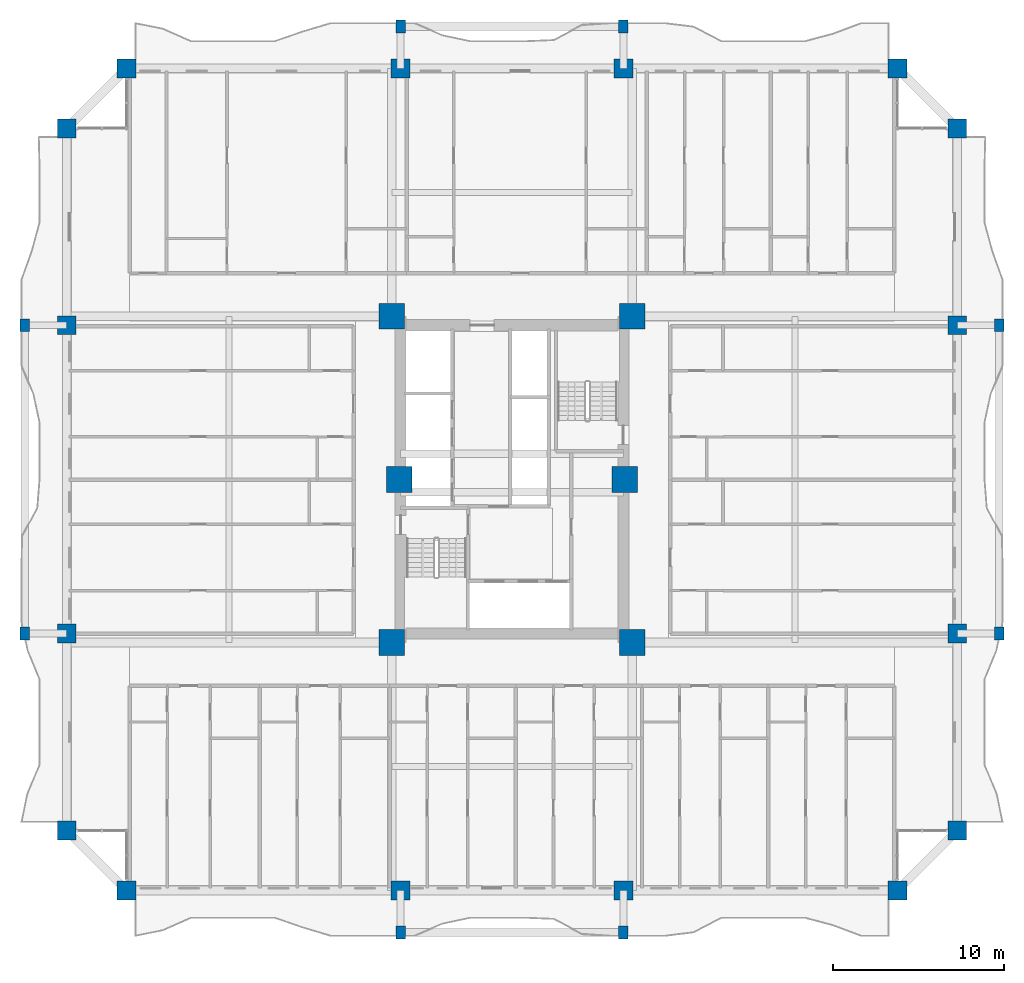
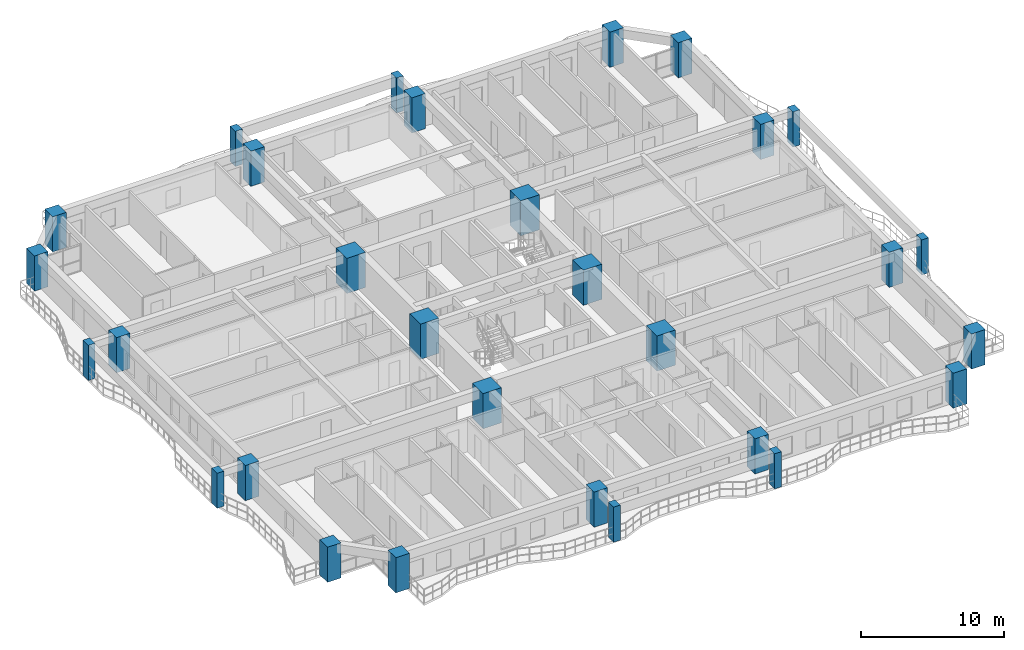
# One storey, part 1 of 28: 30 columns.
"""IFC4 building model written with IfcOpenShell, lengths in metres."""

from ifc_helpers import new_model, si_unit, direction, frame, origin, origin_2d, place, context, subcontext, project, spatial, rectangle, extrude, source, transform, mapped, material, material_profile, profile_set, type_object, element, save


model = new_model("IFC4")

# Units and contexts
model_context = context("Model", 3, precision=1e-05, world=origin(), true_north=direction((0.0, 1.0)))
body_context = subcontext(model_context, "Body", "Model", "MODEL_VIEW")
ifc_project = project(units=[si_unit("LENGTHUNIT", "METRE"), si_unit("AREAUNIT", "SQUARE_METRE"), si_unit("VOLUMEUNIT", "CUBIC_METRE"), si_unit("PLANEANGLEUNIT", "RADIAN"), si_unit("MASSUNIT", "GRAM", prefix="KILO")], contexts=[model_context])

# Site, building, storey
site_placement = place(None, origin())
site = spatial("IfcSite", under=ifc_project, at=site_placement, CompositionType="ELEMENT")
building_placement = place(site_placement, origin())
building = spatial("IfcBuilding", under=site, at=building_placement, Name="Saelheon Loggia Tower", CompositionType="ELEMENT")
storey_placement = place(building_placement, frame((0.0, 0.0, 25.39990234375)))
storey = spatial("IfcBuildingStorey", under=building, at=storey_placement, Name="L07", CompositionType="ELEMENT", Elevation=25.39990234375)

# Columns
ifc_material_1 = material(Name="Concrete C60/75", Category="concrete")
ifc_material_profile_1 = material_profile(ifc_material_1, rectangle(XDim=1.5, YDim=1.5, at=origin_2d()), Name="RC-1500x1500")
ifc_profile_set_1 = profile_set([ifc_material_profile_1], Name="Concrete C60/75")
column_type_1 = type_object("IfcColumnType", Name="Col_Core_RC1500", PredefinedType="COLUMN", material=ifc_profile_set_1)
shared_shape_1 = source(origin(), body_context, "Body", "SweptSolid", [
    extrude(rectangle(XDim=1.5, YDim=1.5, at=origin_2d()), origin(), (0.0, 0.0, 1.0), 3.0),
])
for number, where, z_axis, x_axis, name in (
    (1, (30.97998046875, 17.47998046875, 0.0), (0.0, 0.0, 1.0), (1.0, 0.0, 0.0), "L07 Core Column CR-SW"),
    (2, (45.02001953125, 17.47998046875, 0.0), (0.0, 0.0, 1.0), (1.0, 0.0, 0.0), "L07 Core Column CR-SE"),
    (3, (30.97998046875, 36.52001953125, 0.0), (0.0, 0.0, 1.0), (1.0, 0.0, 0.0), "L07 Core Column CR-NW"),
    (4, (45.02001953125, 36.52001953125, 0.0), (0.0, 0.0, 1.0), (1.0, 0.0, 0.0), "L07 Core Column CR-NE"),
    (5, (31.419921875, 27.0, 0.0), (0.0, 0.0, 1.0), (1.0, 0.0, 0.0), "L07 Core Column CR-MW"),
    (6, (44.580078125, 27.0, 0.0), (0.0, 0.0, 1.0), (1.0, 0.0, 0.0), "L07 Core Column CR-ME"),
):
    element("IfcColumn", number, at=place(storey_placement, frame(where, z_axis=z_axis, x_axis=x_axis)), inside=storey, type_object=column_type_1, Name=name, PredefinedType="COLUMN", context=body_context, shape_type="MappedRepresentation", body=[
        mapped(shared_shape_1, transform((0.0, 0.0, 0.0), scale=1.0)),
    ])
ifc_material_2 = material(Name="Concrete C50/60", Category="concrete")
ifc_material_profile_2 = material_profile(ifc_material_2, rectangle(XDim=1.10009765625, YDim=1.10009765625, at=origin_2d()), Name="RC-1100x1100")
ifc_profile_set_2 = profile_set([ifc_material_profile_2], Name="Concrete C50/60")
column_type_2 = type_object("IfcColumnType", Name="Col_PerimExt_RC1100", PredefinedType="COLUMN", material=ifc_profile_set_2)
shared_shape_2 = source(origin(), body_context, "Body", "SweptSolid", [
    extrude(rectangle(XDim=1.10009765625, YDim=1.10009765625, at=origin_2d()), origin(), (0.0, 0.0, 1.0), 3.0),
])
for number, where, z_axis, x_axis, name in (
    (7, (15.5, 3.0, 0.0), (0.0, 0.0, 1.0), (1.0, 0.0, 0.0), "L07 Perimeter Column TP-S1"),
    (8, (31.5, 3.0, 0.0), (0.0, 0.0, 1.0), (1.0, 0.0, 0.0), "L07 Perimeter Column TP-SA"),
    (9, (44.5, 3.0, 0.0), (0.0, 0.0, 1.0), (1.0, 0.0, 0.0), "L07 Perimeter Column TP-SB"),
    (10, (60.5, 3.0, 0.0), (0.0, 0.0, 1.0), (1.0, 0.0, 0.0), "L07 Perimeter Column TP-S2"),
    (11, (64.0, 6.5, 0.0), (0.0, 0.0, 1.0), (1.0, 0.0, 0.0), "L07 Perimeter Column TP-E1"),
    (12, (64.0, 18.0, 0.0), (0.0, 0.0, 1.0), (1.0, 0.0, 0.0), "L07 Perimeter Column TP-EA"),
    (13, (64.0, 36.0, 0.0), (0.0, 0.0, 1.0), (1.0, 0.0, 0.0), "L07 Perimeter Column TP-EB"),
    (14, (64.0, 47.5, 0.0), (0.0, 0.0, 1.0), (1.0, 0.0, 0.0), "L07 Perimeter Column TP-E2"),
    (15, (60.5, 51.0, 0.0), (0.0, 0.0, 1.0), (1.0, 0.0, 0.0), "L07 Perimeter Column TP-N2"),
    (16, (44.5, 51.0, 0.0), (0.0, 0.0, 1.0), (1.0, 0.0, 0.0), "L07 Perimeter Column TP-NB"),
    (17, (31.5, 51.0, 0.0), (0.0, 0.0, 1.0), (1.0, 0.0, 0.0), "L07 Perimeter Column TP-NA"),
    (18, (15.5, 51.0, 0.0), (0.0, 0.0, 1.0), (1.0, 0.0, 0.0), "L07 Perimeter Column TP-N1"),
    (19, (12.0, 47.5, 0.0), (0.0, 0.0, 1.0), (1.0, 0.0, 0.0), "L07 Perimeter Column TP-W2"),
    (20, (12.0, 36.0, 0.0), (0.0, 0.0, 1.0), (1.0, 0.0, 0.0), "L07 Perimeter Column TP-WB"),
    (21, (12.0, 18.0, 0.0), (0.0, 0.0, 1.0), (1.0, 0.0, 0.0), "L07 Perimeter Column TP-WA"),
    (22, (12.0, 6.5, 0.0), (0.0, 0.0, 1.0), (1.0, 0.0, 0.0), "L07 Perimeter Column TP-W1"),
):
    element("IfcColumn", number, at=place(storey_placement, frame(where, z_axis=z_axis, x_axis=x_axis)), inside=storey, type_object=column_type_2, Name=name, PredefinedType="COLUMN", context=body_context, shape_type="MappedRepresentation", body=[
        mapped(shared_shape_2, transform((0.0, 0.0, 0.0), scale=1.0)),
    ])
ifc_material_3 = material(Name="Precast Concrete C45/55", Category="concrete")
ifc_material_profile_3 = material_profile(ifc_material_3, rectangle(XDim=0.550048828125, YDim=0.75, at=origin_2d()), Name="RC-550x750")
ifc_profile_set_3 = profile_set([ifc_material_profile_3], Name="Precast Concrete C45/55")
column_type_3 = type_object("IfcColumnType", Name="Col_Loggia_Pilaster_750", PredefinedType="PILASTER", material=ifc_profile_set_3)
shared_shape_3 = source(origin(), body_context, "Body", "SweptSolid", [
    extrude(rectangle(XDim=0.550048828125, YDim=0.75, at=origin_2d()), origin(), (0.0, 0.0, 1.0), 3.0),
])
for number, where, z_axis, x_axis, name in (
    (23, (31.5, 0.550048828125, 0.0), (0.0, 0.0, 1.0), (1.0, 0.0, 0.0), "L07 Loggia Frame Pilaster LP-S1"),
    (24, (44.5, 0.550048828125, 0.0), (0.0, 0.0, 1.0), (1.0, 0.0, 0.0), "L07 Loggia Frame Pilaster LP-S2"),
    (25, (31.5, 53.449951171875, 0.0), (0.0, 0.0, 1.0), (1.0, 0.0, 0.0), "L07 Loggia Frame Pilaster LP-N1"),
    (26, (44.5, 53.449951171875, 0.0), (0.0, 0.0, 1.0), (1.0, 0.0, 0.0), "L07 Loggia Frame Pilaster LP-N2"),
    (27, (66.449951171875, 18.0, 0.0), (0.0, 0.0, 1.0), (1.0, 0.0, 0.0), "L07 Loggia Frame Pilaster LP-E1"),
    (28, (66.449951171875, 36.0, 0.0), (0.0, 0.0, 1.0), (1.0, 0.0, 0.0), "L07 Loggia Frame Pilaster LP-E2"),
    (29, (9.550048828125, 18.0, 0.0), (0.0, 0.0, 1.0), (1.0, 0.0, 0.0), "L07 Loggia Frame Pilaster LP-W1"),
    (30, (9.550048828125, 36.0, 0.0), (0.0, 0.0, 1.0), (1.0, 0.0, 0.0), "L07 Loggia Frame Pilaster LP-W2"),
):
    element("IfcColumn", number, at=place(storey_placement, frame(where, z_axis=z_axis, x_axis=x_axis)), inside=storey, type_object=column_type_3, Name=name, PredefinedType="PILASTER", context=body_context, shape_type="MappedRepresentation", body=[
        mapped(shared_shape_3, transform((0.0, 0.0, 0.0), scale=1.0)),
    ])

save(model, "model.ifc")
